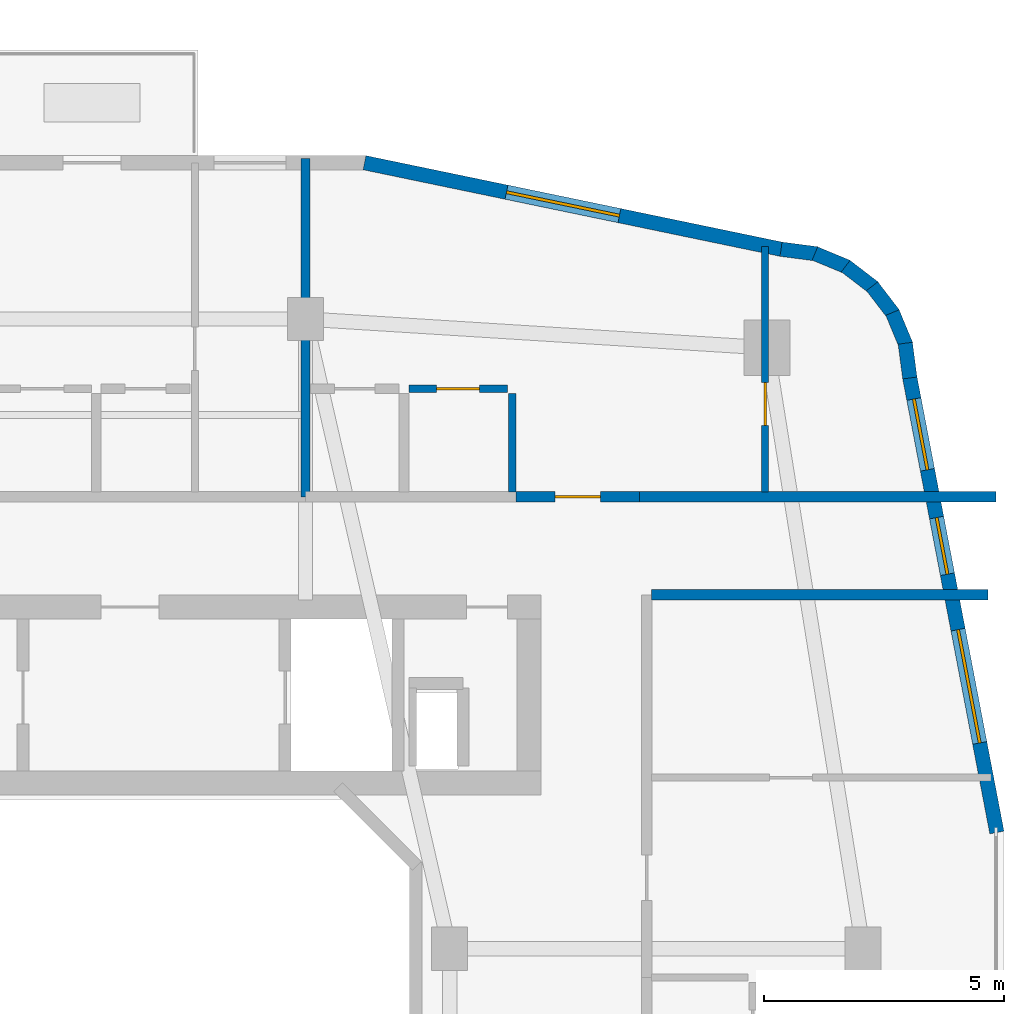
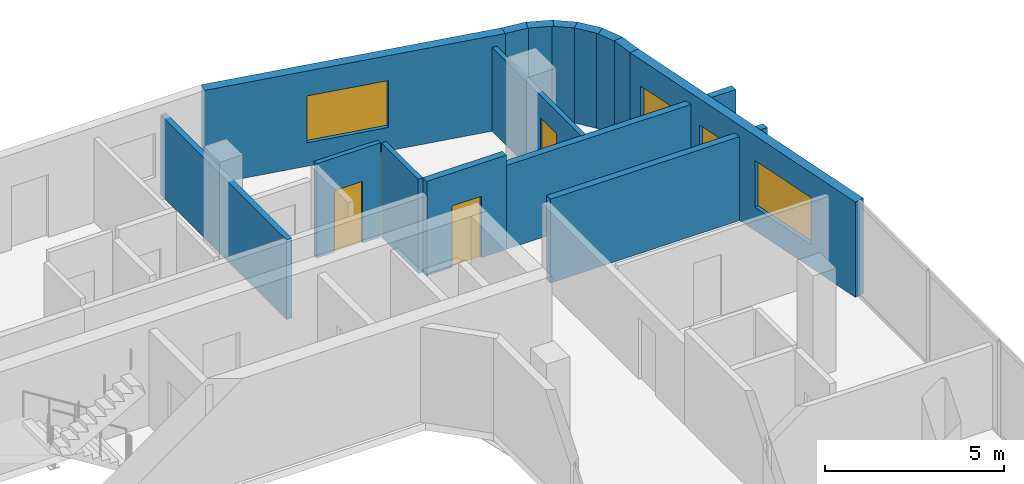
# One storey, part 16 of 22: 15 walls, 4 windows, 3 doors, 7 openings.
"""IFC4 building model written with IfcOpenShell, lengths in metres."""

from ifc_helpers import new_model, si_unit, derived_unit, direction, frame, frame_2d, origin, place, context, subcontext, project, spatial, rectangle, extrude, material, layer, layer_set, type_object, element, fill, save


model = new_model("IFC4")

# Units and contexts
model_context = context("Model", 3, precision=1e-05, world=origin(), true_north=direction((0.0, 1.0)))
body_context = subcontext(model_context, "Body", "Model", "MODEL_VIEW")
ifc_project = project(units=[si_unit("LENGTHUNIT", "METRE"), si_unit("AREAUNIT", "SQUARE_METRE"), si_unit("VOLUMEUNIT", "CUBIC_METRE"), si_unit("PLANEANGLEUNIT", "RADIAN"), si_unit("MASSUNIT", "GRAM", prefix="KILO"), derived_unit("THERMALTRANSMITTANCEUNIT", [(si_unit("POWERUNIT", "WATT"), 1), (si_unit("LENGTHUNIT", "METRE"), -2), (si_unit("THERMODYNAMICTEMPERATUREUNIT", "KELVIN"), -1)])], contexts=[model_context])

# Site, building, storey
site_placement = place(None, origin())
site = spatial("IfcSite", under=ifc_project, at=site_placement, CompositionType="ELEMENT")
building_placement = place(site_placement, origin())
building = spatial("IfcBuilding", under=site, at=building_placement, Name="Kivonza Crest Hotel", CompositionType="ELEMENT")
storey_placement = place(building_placement, frame((0.0, 0.0, 69.5)))
storey = spatial("IfcBuildingStorey", under=building, at=storey_placement, Name="L18", CompositionType="ELEMENT", Elevation=69.5)

# Walls
ifc_material_1 = material(Name="High-density acoustic masonry inter-tenancy wall", Category="masonry")
ifc_layer_1 = layer(ifc_material_1, 0.179931640625)
ifc_layer_set_1 = layer_set([ifc_layer_1], Name="High-density acoustic masonry inter-tenancy wall")
wall_type_1 = type_object("IfcWallType", Name="WL-ACOU-180", PredefinedType="SOLIDWALL", material=ifc_layer_set_1)
wall_1_placement = place(storey_placement, frame((81.39990234375, 37.89990234375, 0.0), z_axis=(0.0, 0.0, 1.0), x_axis=(0.0, 1.0, 0.0)))
element("IfcWall", 1, at=wall_1_placement, inside=storey, type_object=wall_type_1, Name="L18 interior partition WA-L18-T2N-DIV1", PredefinedType="SOLIDWALL", context=body_context, shape_type="SweptSolid", body=[
    extrude(rectangle(XDim=7.0400390625, YDim=0.179931640625, at=frame_2d((3.52001953125, 0.0))), origin(), (0.0, 0.0, 1.0), 2.72509765625),
])
ifc_material_2 = material(Name="Autoclaved aerated concrete blockwork", Category="masonry")
ifc_layer_2 = layer(ifc_material_2, 0.219970703125)
ifc_layer_set_2 = layer_set([ifc_layer_2], Name="Autoclaved aerated concrete blockwork")
wall_type_2 = type_object("IfcWallType", Name="WL-ACOU-220", PredefinedType="SOLIDWALL", material=ifc_layer_set_2)
wall_2_placement = place(storey_placement, frame((88.35009765625, 37.89990234375, 0.0), z_axis=(0.0, 0.0, 1.0), x_axis=(1.0, 0.0, 0.0)))
element("IfcWall", 2, at=wall_2_placement, inside=storey, type_object=wall_type_2, Name="L18 interior partition WA-L18-A02-RCORR", PredefinedType="SOLIDWALL", context=body_context, shape_type="SweptSolid", body=[
    extrude(rectangle(XDim=7.409912109375, YDim=0.219970703125, at=frame_2d((3.705078125, 0.0))), origin(), (0.0, 0.0, 1.0), 2.864990234375),
])

# Wall, opening, door
wall_3_placement = place(storey_placement, frame((85.780029296875, 37.89990234375, 0.0), z_axis=(0.0, 0.0, 1.0), x_axis=(1.0, 0.0, 0.0)))
wall_3 = element("IfcWall", 3, at=wall_3_placement, inside=storey, type_object=wall_type_2, Name="L18 interior partition WA-L18-A02-MCORR", PredefinedType="SOLIDWALL", context=body_context, shape_type="SweptSolid", body=[
    extrude(rectangle(XDim=2.570068359375, YDim=0.219970703125, at=frame_2d((1.28515625, 0.0))), origin(), (0.0, 0.0, 1.0), 3.219970703125),
])
opening_1_placement = place(wall_3_placement, frame((0.81005859375, 0.0, 0.0)))
opening_1 = element("IfcOpeningElement", 4, at=opening_1_placement, cuts=wall_3, Name="Opening DU-60", PredefinedType="OPENING", context=body_context, shape_type="SweptSolid", body=[
    extrude(rectangle(XDim=0.949951171875, YDim=2.10009765625, at=frame_2d((0.47509765625, 1.050048828125))), frame((0.0, 0.1201171875, 0.0), z_axis=(0.0, -1.0, 0.0), x_axis=(1.0, 0.0, 0.0)), (0.0, 0.0, 1.0), 0.239990234375),
])
ifc_material_3 = material(Name="Hardwood timber oak", Category="wood")
door_type_1 = type_object("IfcDoorType", Name="DR-UNIT-950", OperationType="NOTDEFINED", PredefinedType="DOOR", material=ifc_material_3)
door_1_placement = place(opening_1_placement, origin())
door_1 = element("IfcDoor", 5, at=door_1_placement, inside=storey, type_object=door_type_1, Name="L18 A02 apartment entrance fire door", OperationType="SINGLE_SWING_RIGHT", OverallHeight=2.10009765625, OverallWidth=0.949951171875, PredefinedType="DOOR", context=body_context, shape_type="SweptSolid", body=[
    extrude(rectangle(XDim=0.949951171875, YDim=2.10009765625, at=frame_2d((0.47509765625, 1.050048828125))), frame((0.0, 0.02490234375, 0.0), z_axis=(0.0, -1.0, 0.0), x_axis=(1.0, 0.0, 0.0)), (0.0, 0.0, 1.0), 0.050048828125),
])
fill(opening_1, door_1)

# Wall
wall_4_placement = place(storey_placement, frame((88.60009765625, 35.860107421875, 0.0), z_axis=(0.0, 0.0, 1.0), x_axis=(1.0, 0.0, 0.0)))
element("IfcWall", 6, at=wall_4_placement, inside=storey, type_object=wall_type_2, Name="L18 interior partition WA-L18-T2E-ENDN", PredefinedType="SOLIDWALL", context=body_context, shape_type="SweptSolid", body=[
    extrude(rectangle(XDim=7.0, YDim=0.219970703125, at=frame_2d((3.5, 0.0))), origin(), (0.0, 0.0, 1.0), 2.864990234375),
])

# Wall, openings, windows
ifc_material_4 = material(Name="Precast concrete C40/50", Category="concrete")
ifc_layer_3 = layer(ifc_material_4, 0.300048828125)
ifc_layer_set_3 = layer_set([ifc_layer_3], Name="Precast concrete C40/50")
wall_type_3 = type_object("IfcWallType", Name="WL-EXT-300", PredefinedType="STANDARD", material=ifc_layer_set_3)
wall_5_placement = place(storey_placement, frame((95.782958984375, 30.91796875, 0.0), z_axis=(0.0, 0.0, 1.0), x_axis=(-0.188087874316, 0.982152203854, 0.0)))
wall_5 = element("IfcWall", 7, at=wall_5_placement, inside=storey, type_object=wall_type_3, Name="L18 T2 exterior insulated wall 18", PredefinedType="STANDARD", context=body_context, shape_type="SweptSolid", body=[
    extrude(rectangle(XDim=9.6337890625, YDim=0.300048828125, at=frame_2d((4.81689453125, 0.0))), origin(), (0.0, 0.0, 1.0), 3.25),
])
opening_2_placement = place(wall_5_placement, frame((1.89697265625, 0.0, 0.800048828125)))
opening_2 = element("IfcOpeningElement", 8, at=opening_2_placement, cuts=wall_5, Name="Opening WN-05", PredefinedType="OPENING", context=body_context, shape_type="SweptSolid", body=[
    extrude(rectangle(XDim=2.39990234375, YDim=1.60009765625, at=frame_2d((1.199951171875, 0.800048828125))), frame((0.0, 0.16015625, 0.0), z_axis=(0.0, -1.0, 0.0), x_axis=(1.0, 0.0, 0.0)), (0.0, 0.0, 1.0), 0.320068359375),
])
opening_3_placement = place(wall_5_placement, frame((5.469970703125, 0.0, 0.85009765625)))
opening_3 = element("IfcOpeningElement", 9, at=opening_3_placement, cuts=wall_5, Name="Opening WN-01", PredefinedType="OPENING", context=body_context, shape_type="SweptSolid", body=[
    extrude(rectangle(XDim=1.199951171875, YDim=1.5, at=frame_2d((0.60009765625, 0.75))), frame((0.0, 0.16015625, 0.0), z_axis=(0.0, -1.0, 0.0), x_axis=(1.0, 0.0, 0.0)), (0.0, 0.0, 1.0), 0.320068359375),
])
opening_4_placement = place(wall_5_placement, frame((7.681884765625, 0.0, 0.85009765625)))
opening_4 = element("IfcOpeningElement", 10, at=opening_4_placement, cuts=wall_5, Name="Opening WN-02", PredefinedType="OPENING", context=body_context, shape_type="SweptSolid", body=[
    extrude(rectangle(XDim=1.5, YDim=1.5, at=frame_2d((0.75, 0.75))), frame((0.0, 0.16015625, 0.0), z_axis=(0.0, -1.0, 0.0), x_axis=(1.0, 0.0, 0.0)), (0.0, 0.0, 1.0), 0.320068359375),
])
ifc_material_5 = material(Name="Thermally broken bronze aluminium and low-E double glazing", Category="aluminium")
window_type_1 = type_object("IfcWindowType", Name="WN-120x150", PartitioningType="SINGLE_PANEL", PredefinedType="WINDOW", material=ifc_material_5)
window_1_placement = place(opening_3_placement, origin())
window_1 = element("IfcWindow", 11, at=window_1_placement, inside=storey, type_object=window_type_1, Name="L18 T2 facade window 18 bay 2", OverallHeight=1.5, OverallWidth=1.199951171875, PartitioningType="SINGLE_PANEL", PredefinedType="WINDOW", context=body_context, shape_type="SweptSolid", body=[
    extrude(rectangle(XDim=1.199951171875, YDim=1.5, at=frame_2d((0.60009765625, 0.75))), frame((0.0, 0.030029296875, 0.0), z_axis=(0.0, -1.0, 0.0), x_axis=(1.0, 0.0, 0.0)), (0.0, 0.0, 1.0), 0.06005859375),
])
fill(opening_3, window_1)
window_type_2 = type_object("IfcWindowType", Name="WN-150x150", PartitioningType="DOUBLE_PANEL_VERTICAL", PredefinedType="WINDOW", material=ifc_material_5)
window_2_placement = place(opening_4_placement, origin())
window_2 = element("IfcWindow", 12, at=window_2_placement, inside=storey, type_object=window_type_2, Name="L18 T2 facade window 18 bay 3", OverallHeight=1.5, OverallWidth=1.5, PartitioningType="SINGLE_PANEL", PredefinedType="WINDOW", context=body_context, shape_type="SweptSolid", body=[
    extrude(rectangle(XDim=1.5, YDim=1.5, at=frame_2d((0.75, 0.75))), frame((0.0, 0.030029296875, 0.0), z_axis=(0.0, -1.0, 0.0), x_axis=(1.0, 0.0, 0.0)), (0.0, 0.0, 1.0), 0.06005859375),
])
fill(opening_4, window_2)
window_type_3 = type_object("IfcWindowType", Name="WN-240x160", PartitioningType="TRIPLE_PANEL_VERTICAL", PredefinedType="WINDOW", material=ifc_material_5)
window_3_placement = place(opening_2_placement, origin())
window_3 = element("IfcWindow", 13, at=window_3_placement, inside=storey, type_object=window_type_3, Name="L18 T2 facade window 18 bay 1", OverallHeight=1.60009765625, OverallWidth=2.39990234375, PartitioningType="SINGLE_PANEL", PredefinedType="WINDOW", context=body_context, shape_type="SweptSolid", body=[
    extrude(rectangle(XDim=2.39990234375, YDim=1.60009765625, at=frame_2d((1.199951171875, 0.800048828125))), frame((0.0, 0.030029296875, 0.0), z_axis=(0.0, -1.0, 0.0), x_axis=(1.0, 0.0, 0.0)), (0.0, 0.0, 1.0), 0.06005859375),
])
fill(opening_2, window_3)

# Walls
wall_6_placement = place(storey_placement, frame((93.971923828125, 40.373046875, 0.0), z_axis=(0.0, 0.0, 1.0), x_axis=(-0.130255288807, 0.991480488834, 0.0)))
element("IfcWall", 14, at=wall_6_placement, inside=storey, type_object=wall_type_3, Name="L18 T2 exterior insulated wall 19", PredefinedType="STANDARD", context=body_context, shape_type="SweptSolid", body=[
    extrude(rectangle(XDim=0.72900390625, YDim=0.300048828125, at=frame_2d((0.364501953125, 0.0))), origin(), (0.0, 0.0, 1.0), 3.25),
])
wall_7_placement = place(storey_placement, frame((93.89599609375, 41.044921875, 0.0), z_axis=(0.0, 0.0, 1.0), x_axis=(-0.383267045233, 0.923637576129, 0.0)))
element("IfcWall", 15, at=wall_7_placement, inside=storey, type_object=wall_type_3, Name="L18 T2 exterior insulated wall 20", PredefinedType="STANDARD", context=body_context, shape_type="SweptSolid", body=[
    extrude(rectangle(XDim=0.745849609375, YDim=0.300048828125, at=frame_2d((0.373046875, 0.0))), origin(), (0.0, 0.0, 1.0), 3.25),
])
for number, where, z_axis, x_axis, name in (
    (16, (93.64111328125, 41.68896484375, 0.0), (0.0, 0.0, 1.0), (-0.608603261071, 0.793474681772, 0.0), "L18 T2 exterior insulated wall 21"),
    (17, (93.22900390625, 42.24609375, 0.0), (0.0, 0.0, 1.0), (-0.79363269798, 0.608397189915, 0.0), "L18 T2 exterior insulated wall 22"),
):
    element("IfcWall", number, at=place(storey_placement, frame(where, z_axis=z_axis, x_axis=x_axis)), inside=storey, type_object=wall_type_3, Name=name, PredefinedType="STANDARD", context=body_context, shape_type="SweptSolid", body=[
        extrude(rectangle(XDim=0.74609375, YDim=0.300048828125, at=frame_2d((0.373046875, 0.0))), origin(), (0.0, 0.0, 1.0), 3.25),
    ])
wall_8_placement = place(storey_placement, frame((92.68603515625, 42.676025390625, 0.0), z_axis=(0.0, 0.0, 1.0), x_axis=(-0.923637576129, 0.383267045233, 0.0)))
element("IfcWall", 18, at=wall_8_placement, inside=storey, type_object=wall_type_3, Name="L18 T2 exterior insulated wall 23", PredefinedType="STANDARD", context=body_context, shape_type="SweptSolid", body=[
    extrude(rectangle(XDim=0.745849609375, YDim=0.300048828125, at=frame_2d((0.373046875, 0.0))), origin(), (0.0, 0.0, 1.0), 3.25),
])
wall_9_placement = place(storey_placement, frame((92.051025390625, 42.952880859375, 0.0), z_axis=(0.0, 0.0, 1.0), x_axis=(-0.991559404866, 0.129653178221, 0.0)))
element("IfcWall", 19, at=wall_9_placement, inside=storey, type_object=wall_type_3, Name="L18 T2 exterior insulated wall 24", PredefinedType="STANDARD", context=body_context, shape_type="SweptSolid", body=[
    extrude(rectangle(XDim=0.764404296875, YDim=0.300048828125, at=frame_2d((0.38232421875, 0.0))), origin(), (0.0, 0.0, 1.0), 3.25),
])

# Wall, opening, window
wall_10_placement = place(storey_placement, frame((91.298095703125, 43.051025390625, 0.0), z_axis=(0.0, 0.0, 1.0), x_axis=(-0.979120793441, 0.203279295189, 0.0)))
wall_10 = element("IfcWall", 20, at=wall_10_placement, inside=storey, type_object=wall_type_3, Name="L18 T2 exterior insulated wall 25", PredefinedType="STANDARD", context=body_context, shape_type="SweptSolid", body=[
    extrude(rectangle(XDim=8.85498046875, YDim=0.300048828125, at=frame_2d((4.427490234375, 0.0))), origin(), (0.0, 0.0, 1.0), 3.25),
])
opening_5_placement = place(wall_10_placement, frame((3.43896484375, 0.0, 0.800048828125)))
opening_5 = element("IfcOpeningElement", 21, at=opening_5_placement, cuts=wall_10, Name="Opening WN-05", PredefinedType="OPENING", context=body_context, shape_type="SweptSolid", body=[
    extrude(rectangle(XDim=2.39990234375, YDim=1.60009765625, at=frame_2d((1.199951171875, 0.800048828125))), frame((0.0, 0.16015625, 0.0), z_axis=(0.0, -1.0, 0.0), x_axis=(1.0, 0.0, 0.0)), (0.0, 0.0, 1.0), 0.320068359375),
])
window_4_placement = place(opening_5_placement, origin())
window_4 = element("IfcWindow", 22, at=window_4_placement, inside=storey, type_object=window_type_3, Name="L18 T2 facade window 25", OverallHeight=1.60009765625, OverallWidth=2.39990234375, PartitioningType="SINGLE_PANEL", PredefinedType="WINDOW", context=body_context, shape_type="SweptSolid", body=[
    extrude(rectangle(XDim=2.39990234375, YDim=1.60009765625, at=frame_2d((1.199951171875, 0.800048828125))), frame((0.0, 0.030029296875, 0.0), z_axis=(0.0, -1.0, 0.0), x_axis=(1.0, 0.0, 0.0)), (0.0, 0.0, 1.0), 0.06005859375),
])
fill(opening_5, window_4)

# Wall, opening, door
ifc_material_6 = material(Name="Twin-stud acoustic gypsum board partition", Category="gypsum")
ifc_layer_4 = layer(ifc_material_6, 0.14990234375)
ifc_layer_set_4 = layer_set([ifc_layer_4], Name="Twin-stud acoustic gypsum board partition")
wall_type_4 = type_object("IfcWallType", Name="WL-PART-150", PredefinedType="PARTITIONING", material=ifc_layer_set_4)
wall_11_placement = place(storey_placement, frame((90.9599609375, 38.0, 0.0), z_axis=(0.0, 0.0, 1.0), x_axis=(0.0, 1.0, 0.0)))
wall_11 = element("IfcWall", 23, at=wall_11_placement, inside=storey, type_object=wall_type_4, Name="L18 interior partition WP-L18-A02-BDW1", PredefinedType="PARTITIONING", context=body_context, shape_type="SweptSolid", body=[
    extrude(rectangle(XDim=5.113037109375, YDim=0.14990234375, at=frame_2d((2.556640625, 0.0))), origin(), (0.0, 0.0, 1.0), 2.864990234375),
])
opening_6_placement = place(wall_11_placement, frame((1.3798828125, 0.0, 0.0)))
opening_6 = element("IfcOpeningElement", 24, at=opening_6_placement, cuts=wall_11, Name="Opening DI-90", PredefinedType="OPENING", context=body_context, shape_type="SweptSolid", body=[
    extrude(rectangle(XDim=0.89990234375, YDim=2.10009765625, at=frame_2d((0.449951171875, 1.050048828125))), frame((0.0, 0.0849609375, 0.0), z_axis=(0.0, -1.0, 0.0), x_axis=(1.0, 0.0, 0.0)), (0.0, 0.0, 1.0), 0.169921875),
])
door_type_2 = type_object("IfcDoorType", Name="DR-INT-900", OperationType="NOTDEFINED", PredefinedType="DOOR", material=ifc_material_3)
door_2_placement = place(opening_6_placement, origin())
door_2 = element("IfcDoor", 25, at=door_2_placement, inside=storey, type_object=door_type_2, Name="L18 A02 bedroom 1 door", OperationType="SINGLE_SWING_LEFT", OverallHeight=2.10009765625, OverallWidth=0.89990234375, PredefinedType="DOOR", context=body_context, shape_type="SweptSolid", body=[
    extrude(rectangle(XDim=0.89990234375, YDim=2.10009765625, at=frame_2d((0.449951171875, 1.050048828125))), frame((0.0, 0.02490234375, 0.0), z_axis=(0.0, -1.0, 0.0), x_axis=(1.0, 0.0, 0.0)), (0.0, 0.0, 1.0), 0.050048828125),
])
fill(opening_6, door_2)

# Wall
wall_12_placement = place(storey_placement, frame((85.699951171875, 38.0, 0.0), z_axis=(0.0, 0.0, 1.0), x_axis=(0.0, 1.0, 0.0)))
element("IfcWall", 26, at=wall_12_placement, inside=storey, type_object=wall_type_4, Name="L18 interior partition WP-L18-A02-KF", PredefinedType="PARTITIONING", context=body_context, shape_type="SweptSolid", body=[
    extrude(rectangle(XDim=2.050048828125, YDim=0.14990234375, at=frame_2d((1.02490234375, 0.0))), origin(), (0.0, 0.0, 1.0), 3.219970703125),
])

# Wall, opening, door
wall_13_placement = place(storey_placement, frame((83.550048828125, 40.14990234375, 0.0), z_axis=(0.0, 0.0, 1.0), x_axis=(1.0, 0.0, 0.0)))
wall_13 = element("IfcWall", 27, at=wall_13_placement, inside=storey, type_object=wall_type_4, Name="L18 interior partition WP-L18-A02-KSVC", PredefinedType="PARTITIONING", context=body_context, shape_type="SweptSolid", body=[
    extrude(rectangle(XDim=2.050048828125, YDim=0.14990234375, at=frame_2d((1.02490234375, 0.0))), origin(), (0.0, 0.0, 1.0), 3.219970703125),
])
opening_7_placement = place(wall_13_placement, frame((0.574951171875, 0.0, 0.0)))
opening_7 = element("IfcOpeningElement", 28, at=opening_7_placement, cuts=wall_13, Name="Opening DI-90", PredefinedType="OPENING", context=body_context, shape_type="SweptSolid", body=[
    extrude(rectangle(XDim=0.89990234375, YDim=2.10009765625, at=frame_2d((0.449951171875, 1.050048828125))), frame((0.0, 0.0849609375, 0.0), z_axis=(0.0, -1.0, 0.0), x_axis=(1.0, 0.0, 0.0)), (0.0, 0.0, 1.0), 0.169921875),
])
door_3_placement = place(opening_7_placement, origin())
door_3 = element("IfcDoor", 29, at=door_3_placement, inside=storey, type_object=door_type_2, Name="L18 A02 apartment kitchen door", OperationType="SINGLE_SWING_RIGHT", OverallHeight=2.10009765625, OverallWidth=0.89990234375, PredefinedType="DOOR", context=body_context, shape_type="SweptSolid", body=[
    extrude(rectangle(XDim=0.89990234375, YDim=2.10009765625, at=frame_2d((0.449951171875, 1.050048828125))), frame((0.0, 0.02490234375, 0.0), z_axis=(0.0, -1.0, 0.0), x_axis=(1.0, 0.0, 0.0)), (0.0, 0.0, 1.0), 0.050048828125),
])
fill(opening_7, door_3)

save(model, "model.ifc")
